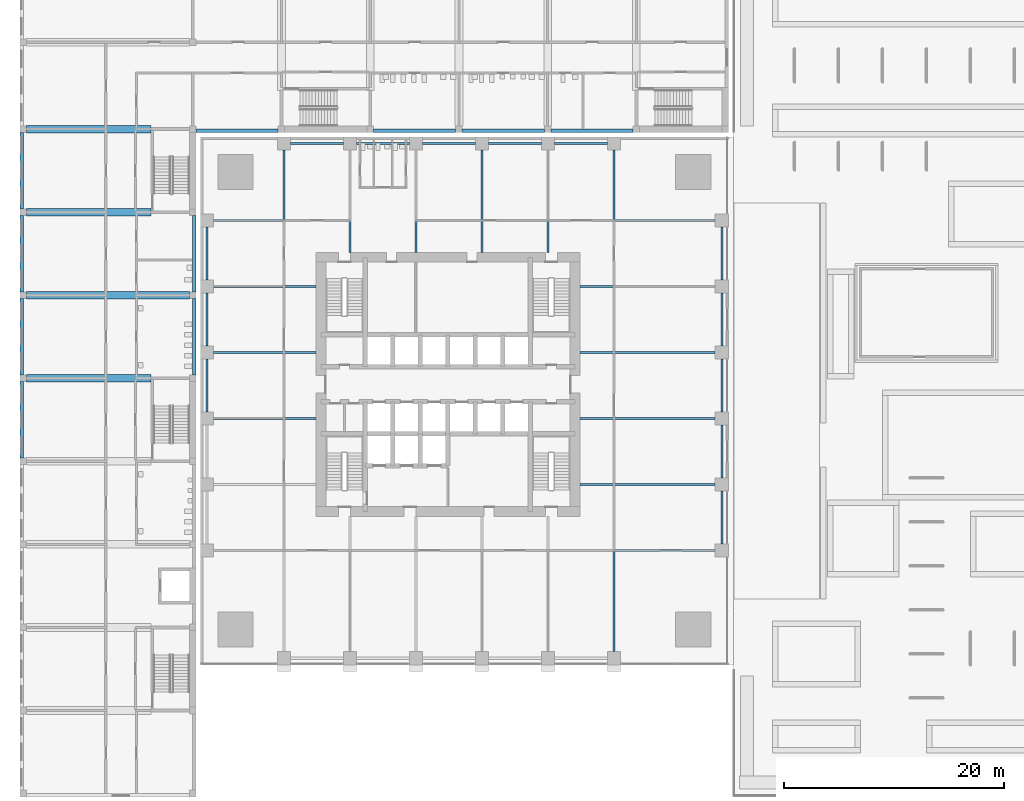
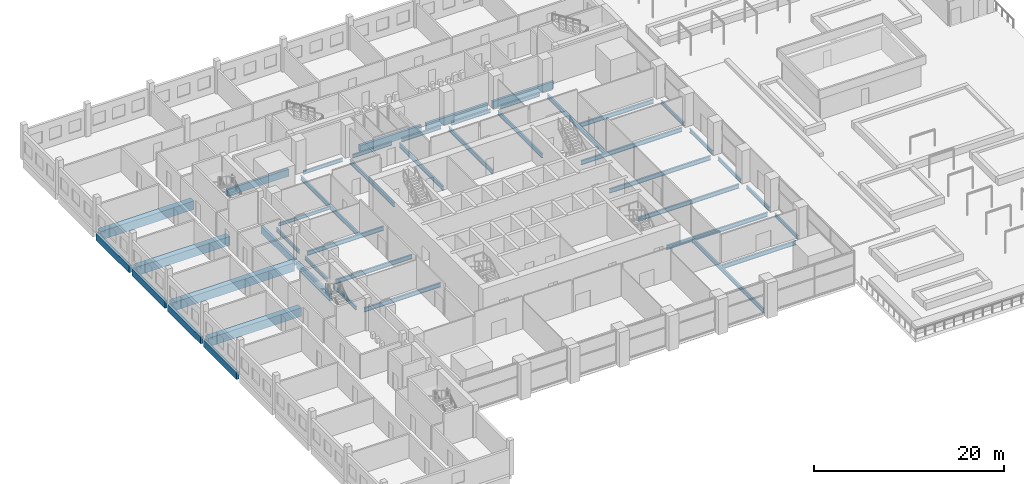
# One storey, part 5 of 34: 44 beams.
"""IFC4 building model written with IfcOpenShell, lengths in metres."""

import ifcopenshell
import ifcopenshell.guid

model = None  # the IFC model being written
_history = None  # IfcOwnerHistory: only IFC2X3 demands one
_inside = {}  # id of a spatial element -> (the spatial element, [elements in it])
_under = {}  # id of a project, library or spatial element -> (it, [spatial elements below it])
_declared = {}  # id of a project -> (the project, [libraries it declares])
_typed = {}  # id of a type object -> (the type object, [elements of that type])
_made_of = {}  # id of a material, layer set ... -> (it, [elements and type objects made of it])


def new_model(schema):
    """Start an empty IFC model of exactly this schema.

    Asked for "IFC4X3", IfcOpenShell would pick the latest addendum, in which some entities
    have other attributes; the version numbers below select the first issue.
    IFC2X3 requires an IfcOwnerHistory on every rooted entity: one is made here for all.
    """
    global model, _history
    if schema == "IFC4X3":
        model = ifcopenshell.file(schema_version=(4, 3, 0, 0))
    else:
        model = ifcopenshell.file(schema=schema)
    _inside.clear()
    _under.clear()
    _declared.clear()
    _typed.clear()
    _made_of.clear()
    _history = None
    if model.schema == "IFC2X3":
        org = make("IfcOrganization", Name="unknown")
        user = make(
            "IfcPersonAndOrganization",
            ThePerson=make("IfcPerson", FamilyName="unknown"),
            TheOrganization=org,
        )
        app = make(
            "IfcApplication",
            ApplicationDeveloper=org,
            Version="unknown",
            ApplicationFullName="unknown",
            ApplicationIdentifier="unknown",
        )
        _history = make(
            "IfcOwnerHistory",
            OwningUser=user,
            OwningApplication=app,
            ChangeAction="ADDED",
            CreationDate=0,
        )
    return model


def make(cls, **values):
    """One entity of the class cls with the attributes given. An attribute that is None is left unset."""
    return model.create_entity(
        cls, **{name: value for name, value in values.items() if value is not None}
    )


def rooted(cls, **values):
    """An entity with a GlobalId (a new one), such as an element, a storey or a relation."""
    return make(cls, GlobalId=ifcopenshell.guid.new(), OwnerHistory=_history, **values)


def si_unit(unit_type, name, prefix=None):
    """IfcSIUnit, for example si_unit("LENGTHUNIT", "METRE", prefix="MILLI")."""
    return make("IfcSIUnit", UnitType=unit_type, Prefix=prefix, Name=name)


def assignment(units):
    """IfcUnitAssignment: the units of a project."""
    return None if units is None else make("IfcUnitAssignment", Units=units)


def point(xyz):
    """IfcCartesianPoint."""
    return None if xyz is None else make("IfcCartesianPoint", Coordinates=xyz)


def direction(xyz):
    """IfcDirection."""
    return None if xyz is None else make("IfcDirection", DirectionRatios=xyz)


def frame(location, z_axis=None, x_axis=None):
    """IfcAxis2Placement3D, a coordinate frame: its origin and axes. An axis left out is left unset."""
    return make(
        "IfcAxis2Placement3D",
        Location=point(location),
        Axis=direction(z_axis),
        RefDirection=direction(x_axis),
    )


def frame_2d(location, x_axis=None):
    """IfcAxis2Placement2D, a coordinate frame in the plane: its origin and x axis."""
    return make(
        "IfcAxis2Placement2D", Location=point(location), RefDirection=direction(x_axis)
    )


def origin():
    """The frame at (0, 0, 0) with its axes left unset."""
    return frame((0.0, 0.0, 0.0))


def origin_2d():
    """The frame at (0, 0) in the plane with its x axis left unset."""
    return frame_2d((0.0, 0.0))


def place(relative_to, where):
    """IfcLocalPlacement: puts the frame where relative to a parent placement (None: the world)."""
    return make(
        "IfcLocalPlacement", PlacementRelTo=relative_to, RelativePlacement=where
    )


def context(
    kind, dimensions, precision=None, world=None, true_north=None, identifier=None
):
    """IfcGeometricRepresentationContext, for example the 3D "Model" context."""
    return make(
        "IfcGeometricRepresentationContext",
        ContextIdentifier=identifier,
        ContextType=kind,
        CoordinateSpaceDimension=dimensions,
        Precision=precision,
        WorldCoordinateSystem=world,
        TrueNorth=true_north,
    )


def subcontext(parent, identifier, kind, view, scale=None):
    """IfcGeometricRepresentationSubContext, for example "Body" below "Model"."""
    return make(
        "IfcGeometricRepresentationSubContext",
        ContextIdentifier=identifier,
        ContextType=kind,
        ParentContext=parent,
        TargetScale=scale,
        TargetView=view,
    )


def project(units=None, contexts=None):
    """IfcProject with its units and contexts."""
    return rooted(
        "IfcProject",
        Name="project",
        RepresentationContexts=contexts,
        UnitsInContext=assignment(units),
    )


def spatial(cls, under=None, at=None, **own):
    """A site, building, storey or space (cls), placed at a placement, below another one or the project."""
    s = rooted(cls, ObjectPlacement=at, **own)
    if under is not None:
        _under.setdefault(under.id(), (under, []))[1].append(s)
    return s


def profile(cls, at=None, kind="AREA", **sizes):
    """A parametric profile (cls). Its sizes go by their IFC names, for example OverallWidth=200.0."""
    return make(cls, ProfileType=kind, Position=at, **sizes)


def rectangle(**sizes):
    """IfcRectangleProfileDef."""
    return profile("IfcRectangleProfileDef", **sizes)


def i_section(**sizes):
    """IfcIShapeProfileDef."""
    return profile("IfcIShapeProfileDef", **sizes)


def extrude(swept, where, along, depth):
    """IfcExtrudedAreaSolid: the profile swept, set in the frame where, extruded along a direction by depth."""
    return make(
        "IfcExtrudedAreaSolid",
        SweptArea=swept,
        Position=where,
        ExtrudedDirection=direction(along),
        Depth=depth,
    )


def shape(context_of_items, identifier, shape_type, items):
    """IfcShapeRepresentation: the items that make up one representation, for example the "Body"."""
    return make(
        "IfcShapeRepresentation",
        ContextOfItems=context_of_items,
        RepresentationIdentifier=identifier,
        RepresentationType=shape_type,
        Items=items,
    )


def material(Name=None, Category=None):
    """IfcMaterial."""
    return make("IfcMaterial", Name=Name, Category=Category)


def material_profile(
    of_material, cross_section, Name=None, Category=None, Priority=None
):
    """IfcMaterialProfile: a cross section and its material."""
    return make(
        "IfcMaterialProfile",
        Name=Name,
        Material=of_material,
        Profile=cross_section,
        Priority=Priority,
        Category=Category,
    )


def profile_set(profiles, Name=None, composite=None):
    """IfcMaterialProfileSet."""
    return make(
        "IfcMaterialProfileSet",
        Name=Name,
        MaterialProfiles=profiles,
        CompositeProfile=composite,
    )


def made_of(thing, what):
    """Note that an element or type object is made of a material, layer set ...; save() writes the relation."""
    if what is not None:
        _made_of.setdefault(what.id(), (what, []))[1].append(thing)
    return thing


def type_object(cls, material=None, **own):
    """A type object (cls), such as IfcWallType, which elements share."""
    return made_of(rooted(cls, **own), material)


def element(
    cls,
    number,
    at=None,
    inside=None,
    cuts=None,
    type_object=None,
    material=None,
    context=None,
    identifier="Body",
    shape_type=None,
    held_by="IfcProductDefinitionShape",
    body=None,
    shapes=None,
    **own,
):
    """One element of the class cls, such as IfcWall. Its Tag is "e" and its number.

    at: its placement. inside: the storey or other place that contains it. cuts: it is an
    opening in that element (IfcRelVoidsElement). A single representation is given by context,
    identifier, shape_type and body (its items); several are given by shapes. held_by: the class
    of the entity that holds the representations. save() writes the other relations.
    """
    e = rooted(cls, Tag="e%d" % number, ObjectPlacement=at, **own)
    if body is not None:
        shapes = [shape(context, identifier, shape_type, body)]
    if shapes is not None:
        e.Representation = make(held_by, Representations=shapes)
    if inside is not None:
        _inside.setdefault(inside.id(), (inside, []))[1].append(e)
    if cuts is not None:
        rooted(
            "IfcRelVoidsElement", RelatingBuildingElement=cuts, RelatedOpeningElement=e
        )
    if type_object is not None:
        _typed.setdefault(type_object.id(), (type_object, []))[1].append(e)
    return made_of(e, material)


def aggregate(whole, parts):
    """IfcRelAggregates: a whole, such as a stair, and the parts it consists of."""
    return rooted("IfcRelAggregates", RelatingObject=whole, RelatedObjects=parts)


def save(model, path):
    """Write the relations noted so far, then the file.

    IfcRelAggregates (storeys below a building ...), IfcRelContainedInSpatialStructure (elements
    in a storey), IfcRelDefinesByType, IfcRelAssociatesMaterial and IfcRelDeclares: one each for
    every whole, place, type object, material and project.
    """
    for whole, parts in _under.values():
        aggregate(whole, parts)
    for where, things in _inside.values():
        rooted(
            "IfcRelContainedInSpatialStructure",
            RelatedElements=things,
            RelatingStructure=where,
        )
    for kind, things in _typed.values():
        rooted("IfcRelDefinesByType", RelatedObjects=things, RelatingType=kind)
    for what, things in _made_of.values():
        rooted("IfcRelAssociatesMaterial", RelatedObjects=things, RelatingMaterial=what)
    for by, libraries in _declared.values():
        rooted("IfcRelDeclares", RelatingContext=by, RelatedDefinitions=libraries)
    model.write(path)


model = new_model("IFC4")

# Units and contexts
model_context = context("Model", 3, precision=1e-05, world=origin(), true_north=direction((0.0, 1.0)))
body_context = subcontext(model_context, "Body", "Model", "MODEL_VIEW")
ifc_project = project(units=[si_unit("LENGTHUNIT", "METRE"), si_unit("AREAUNIT", "SQUARE_METRE"), si_unit("VOLUMEUNIT", "CUBIC_METRE"), si_unit("PLANEANGLEUNIT", "RADIAN"), si_unit("MASSUNIT", "GRAM", prefix="KILO")], contexts=[model_context])

# Site, building, storey
site_placement = place(None, origin())
site = spatial("IfcSite", under=ifc_project, at=site_placement, CompositionType="ELEMENT")
building_placement = place(site_placement, origin())
building = spatial("IfcBuilding", under=site, at=building_placement, Name="Amberfall Residences", CompositionType="ELEMENT")
storey_placement = place(building_placement, frame((0.0, 0.0, 5.5)))
storey = spatial("IfcBuildingStorey", under=building, at=storey_placement, Name="L01", CompositionType="ELEMENT", Elevation=5.5)

# Beams
ifc_material_1 = material(Name="Steel S355", Category="steel")
ifc_material_profile_1 = material_profile(ifc_material_1, i_section(OverallWidth=0.18994140625, OverallDepth=0.453369140625, WebThickness=0.008544921875, FlangeThickness=0.0126953125, FilletRadius=0.01025390625, at=origin_2d()), Name="UB 457x191x67")
ifc_profile_set_1 = profile_set([ifc_material_profile_1], Name="Steel S355")
beam_type_1 = type_object("IfcBeamType", Name="Edge beam UB 457x191x67", PredefinedType="SPANDREL", material=ifc_profile_set_1)
for number, where, z_axis, x_axis, name in (
    (1, (99.39990234375, 31.0, -0.526611328125), (0.0, 1.0, 0.0), (-1.0, 0.0, 0.0), "Edge beam B1 L01 12"),
    (2, (99.39990234375, 37.0, -0.526611328125), (0.0, 1.0, 0.0), (-1.0, 0.0, 0.0), "Edge beam B1 L01 13"),
    (3, (99.39990234375, 43.0, -0.526611328125), (0.0, 1.0, 0.0), (-1.0, 0.0, 0.0), "Edge beam B1 L01 14"),
    (4, (99.39990234375, 49.0, -0.526611328125), (0.0, 1.0, 0.0), (-1.0, 0.0, 0.0), "Edge beam B1 L01 15"),
    (5, (99.39990234375, 55.0, -0.526611328125), (0.0, 1.0, 0.0), (-1.0, 0.0, 0.0), "Edge beam B1 L01 16"),
    (6, (60.199951171875, 67.39990234375, -0.526611328125), (1.0, 0.0, 0.0), (0.0, 1.0, 0.0), "Edge beam B1 L01 23"),
    (7, (66.199951171875, 67.39990234375, -0.526611328125), (1.0, 0.0, 0.0), (0.0, 1.0, 0.0), "Edge beam B1 L01 24"),
    (8, (72.199951171875, 67.39990234375, -0.526611328125), (1.0, 0.0, 0.0), (0.0, 1.0, 0.0), "Edge beam B1 L01 25"),
    (9, (78.199951171875, 67.39990234375, -0.526611328125), (1.0, 0.0, 0.0), (0.0, 1.0, 0.0), "Edge beam B1 L01 26"),
    (10, (84.199951171875, 67.39990234375, -0.526611328125), (1.0, 0.0, 0.0), (0.0, 1.0, 0.0), "Edge beam B1 L01 27"),
    (11, (52.60009765625, 43.0, -0.526611328125), (0.0, 1.0, 0.0), (-1.0, 0.0, 0.0), "Edge beam B1 L01 36"),
    (12, (52.60009765625, 49.0, -0.526611328125), (0.0, 1.0, 0.0), (-1.0, 0.0, 0.0), "Edge beam B1 L01 37"),
    (13, (52.60009765625, 55.0, -0.526611328125), (0.0, 1.0, 0.0), (-1.0, 0.0, 0.0), "Edge beam B1 L01 38"),
):
    element("IfcBeam", number, at=place(storey_placement, frame(where, z_axis=z_axis, x_axis=x_axis)), inside=storey, type_object=beam_type_1, Name=name, PredefinedType="SPANDREL", context=body_context, shape_type="SweptSolid", body=[
        extrude(i_section(OverallWidth=0.18994140625, OverallDepth=0.453369140625, WebThickness=0.008544921875, FlangeThickness=0.0126953125, FilletRadius=0.01025390625, at=origin_2d()), origin(), (0.0, 0.0, 1.0), 4.800048828125),
    ])
ifc_material_profile_2 = material_profile(ifc_material_1, i_section(OverallWidth=0.177734375, OverallDepth=0.402587890625, WebThickness=0.0078125, FlangeThickness=0.010986328125, FilletRadius=0.01025390625, at=origin_2d()), Name="UB 406x178x54")
ifc_profile_set_2 = profile_set([ifc_material_profile_2], Name="Steel S355")
beam_type_2 = type_object("IfcBeamType", Name="Floor girder UB 406x178x54", PredefinedType="BEAM", material=ifc_profile_set_2)
beam_1_placement = place(storey_placement, frame((53.199951171875, 60.39990234375, -0.501220703125), z_axis=(1.0, 0.0, 0.0), x_axis=(0.0, 1.0, 0.0)))
element("IfcBeam", 14, at=beam_1_placement, inside=storey, type_object=beam_type_2, Name="Floor girder B4 L01 44", PredefinedType="BEAM", context=body_context, shape_type="SweptSolid", body=[
    extrude(i_section(OverallWidth=0.177734375, OverallDepth=0.402587890625, WebThickness=0.0078125, FlangeThickness=0.010986328125, FilletRadius=0.01025390625, at=origin_2d()), origin(), (0.0, 0.0, 1.0), 6.280029296875),
])
ifc_material_profile_3 = material_profile(ifc_material_1, i_section(OverallWidth=0.210693359375, OverallDepth=0.53955078125, WebThickness=0.01171875, FlangeThickness=0.018798828125, FilletRadius=0.0126953125, at=origin_2d()), Name="UB 533x210x109")
ifc_profile_set_3 = profile_set([ifc_material_profile_3], Name="Steel S355")
beam_type_3 = type_object("IfcBeamType", Name="Floor girder UB 533x210x109", PredefinedType="BEAM", material=ifc_profile_set_3)
beam_2_placement = place(storey_placement, frame((89.60009765625, 21.199951171875, -0.56982421875), z_axis=(0.0, 1.0, 0.0), x_axis=(-1.0, 0.0, 0.0)))
element("IfcBeam", 15, at=beam_2_placement, inside=storey, type_object=beam_type_3, Name="Floor girder B2 L01 11", PredefinedType="BEAM", context=body_context, shape_type="SweptSolid", body=[
    extrude(i_section(OverallWidth=0.210693359375, OverallDepth=0.53955078125, WebThickness=0.01171875, FlangeThickness=0.018798828125, FilletRadius=0.0126953125, at=origin_2d()), origin(), (0.0, 0.0, 1.0), 15.099609375),
])
for number, where, z_axis, x_axis, name in (
    (16, (98.800048828125, 36.39990234375, -0.56982421875), (-1.0, 0.0, 0.0), (0.0, -1.0, 0.0), "Floor girder B2 L01 18"),
    (17, (98.800048828125, 42.39990234375, -0.56982421875), (-1.0, 0.0, 0.0), (0.0, -1.0, 0.0), "Floor girder B2 L01 19"),
    (18, (98.800048828125, 48.39990234375, -0.56982421875), (-1.0, 0.0, 0.0), (0.0, -1.0, 0.0), "Floor girder B2 L01 20"),
    (19, (98.800048828125, 54.39990234375, -0.56982421875), (-1.0, 0.0, 0.0), (0.0, -1.0, 0.0), "Floor girder B2 L01 21"),
):
    element("IfcBeam", number, at=place(storey_placement, frame(where, z_axis=z_axis, x_axis=x_axis)), inside=storey, type_object=beam_type_3, Name=name, PredefinedType="BEAM", context=body_context, shape_type="SweptSolid", body=[
        extrude(i_section(OverallWidth=0.210693359375, OverallDepth=0.53955078125, WebThickness=0.01171875, FlangeThickness=0.018798828125, FilletRadius=0.0126953125, at=origin_2d()), origin(), (0.0, 0.0, 1.0), 12.300048828125),
    ])
beam_3_placement = place(storey_placement, frame((59.60009765625, 66.800048828125, -0.56982421875), z_axis=(0.0, -1.0, 0.0), x_axis=(1.0, 0.0, 0.0)))
element("IfcBeam", 20, at=beam_3_placement, inside=storey, type_object=beam_type_3, Name="Floor girder B2 L01 28", PredefinedType="BEAM", context=body_context, shape_type="SweptSolid", body=[
    extrude(i_section(OverallWidth=0.210693359375, OverallDepth=0.53955078125, WebThickness=0.01171875, FlangeThickness=0.018798828125, FilletRadius=0.0126953125, at=origin_2d()), origin(), (0.0, 0.0, 1.0), 12.300537109375),
])
beam_4_placement = place(storey_placement, frame((89.60009765625, 66.800048828125, -0.56982421875), z_axis=(0.0, -1.0, 0.0), x_axis=(1.0, 0.0, 0.0)))
element("IfcBeam", 21, at=beam_4_placement, inside=storey, type_object=beam_type_3, Name="Floor girder B2 L01 33", PredefinedType="BEAM", context=body_context, shape_type="SweptSolid", body=[
    extrude(i_section(OverallWidth=0.210693359375, OverallDepth=0.53955078125, WebThickness=0.01171875, FlangeThickness=0.018798828125, FilletRadius=0.0126953125, at=origin_2d()), origin(), (0.0, 0.0, 1.0), 12.299560546875),
])
ifc_material_profile_4 = material_profile(ifc_material_1, i_section(OverallWidth=0.209228515625, OverallDepth=0.533203125, WebThickness=0.010009765625, FlangeThickness=0.015625, FilletRadius=0.0126953125, at=origin_2d()), Name="UB 533x210x92")
ifc_profile_set_4 = profile_set([ifc_material_profile_4], Name="Steel S355")
beam_type_4 = type_object("IfcBeamType", Name="Floor girder UB 533x210x92", PredefinedType="BEAM", material=ifc_profile_set_4)
for number, where, z_axis, x_axis, name in (
    (22, (98.800048828125, 30.39990234375, -0.566650390625), (-1.0, 0.0, 0.0), (0.0, -1.0, 0.0), "Floor girder B3 L01 17"),
    (23, (98.800048828125, 60.39990234375, -0.566650390625), (-1.0, 0.0, 0.0), (0.0, -1.0, 0.0), "Floor girder B3 L01 22"),
):
    element("IfcBeam", number, at=place(storey_placement, frame(where, z_axis=z_axis, x_axis=x_axis)), inside=storey, type_object=beam_type_4, Name=name, PredefinedType="BEAM", context=body_context, shape_type="SweptSolid", body=[
        extrude(i_section(OverallWidth=0.209228515625, OverallDepth=0.533203125, WebThickness=0.010009765625, FlangeThickness=0.015625, FilletRadius=0.0126953125, at=origin_2d()), origin(), (0.0, 0.0, 1.0), 9.080078125),
    ])
for number, where, z_axis, x_axis, name in (
    (24, (65.60009765625, 66.800048828125, -0.566650390625), (0.0, -1.0, 0.0), (1.0, 0.0, 0.0), "Floor girder B3 L01 29"),
    (25, (71.60009765625, 66.800048828125, -0.566650390625), (0.0, -1.0, 0.0), (1.0, 0.0, 0.0), "Floor girder B3 L01 30"),
    (26, (77.60009765625, 66.800048828125, -0.566650390625), (0.0, -1.0, 0.0), (1.0, 0.0, 0.0), "Floor girder B3 L01 31"),
    (27, (83.60009765625, 66.800048828125, -0.566650390625), (0.0, -1.0, 0.0), (1.0, 0.0, 0.0), "Floor girder B3 L01 32"),
    (28, (53.199951171875, 42.39990234375, -0.566650390625), (1.0, 0.0, 0.0), (0.0, 1.0, 0.0), "Floor girder B3 L01 41"),
    (29, (53.199951171875, 48.39990234375, -0.566650390625), (1.0, 0.0, 0.0), (0.0, 1.0, 0.0), "Floor girder B3 L01 42"),
    (30, (53.199951171875, 54.39990234375, -0.566650390625), (1.0, 0.0, 0.0), (0.0, 1.0, 0.0), "Floor girder B3 L01 43"),
):
    element("IfcBeam", number, at=place(storey_placement, frame(where, z_axis=z_axis, x_axis=x_axis)), inside=storey, type_object=beam_type_4, Name=name, PredefinedType="BEAM", context=body_context, shape_type="SweptSolid", body=[
        extrude(i_section(OverallWidth=0.209228515625, OverallDepth=0.533203125, WebThickness=0.010009765625, FlangeThickness=0.015625, FilletRadius=0.0126953125, at=origin_2d()), origin(), (0.0, 0.0, 1.0), 9.300048828125),
    ])
ifc_material_2 = material(Name="Concrete C40", Category="concrete")
ifc_material_profile_5 = material_profile(ifc_material_2, rectangle(XDim=0.699951171875, YDim=1.10009765625, at=origin_2d()), Name="School beam 700 x 1100 C40")
ifc_profile_set_5 = profile_set([ifc_material_profile_5], Name="Concrete C40")
beam_type_5 = type_object("IfcBeamType", Name="School beam 700 x 1100 C40", PredefinedType="BEAM", material=ifc_profile_set_5)
beam_5_placement = place(storey_placement, frame((36.199951171875, 46.050048828125, -0.85009765625), z_axis=(1.0, 0.0, 0.0), x_axis=(0.0, 1.0, 0.0)))
element("IfcBeam", 31, at=beam_5_placement, inside=storey, type_object=beam_type_5, Name="TW5", PredefinedType="BEAM", context=body_context, shape_type="SweptSolid", body=[
    extrude(rectangle(XDim=0.699951171875, YDim=1.10009765625, at=origin_2d()), origin(), (0.0, 0.0, 1.0), 11.300048828125),
])
beam_6_placement = place(storey_placement, frame((36.199951171875, 53.60009765625, -0.85009765625), z_axis=(1.0, 0.0, 0.0), x_axis=(0.0, 1.0, 0.0)))
element("IfcBeam", 32, at=beam_6_placement, inside=storey, type_object=beam_type_5, Name="TW6", PredefinedType="BEAM", context=body_context, shape_type="SweptSolid", body=[
    extrude(rectangle(XDim=0.699951171875, YDim=1.10009765625, at=origin_2d()), origin(), (0.0, 0.0, 1.0), 14.800048828125),
])
for number, where, z_axis, x_axis, name in (
    (33, (36.199951171875, 61.14990234375, -0.85009765625), (1.0, 0.0, 0.0), (0.0, 1.0, 0.0), "TW7"),
    (34, (36.199951171875, 68.699951171875, -0.85009765625), (1.0, 0.0, 0.0), (0.0, 1.0, 0.0), "TW8"),
):
    element("IfcBeam", number, at=place(storey_placement, frame(where, z_axis=z_axis, x_axis=x_axis)), inside=storey, type_object=beam_type_5, Name=name, PredefinedType="BEAM", context=body_context, shape_type="SweptSolid", body=[
        extrude(rectangle(XDim=0.699951171875, YDim=1.10009765625, at=origin_2d()), origin(), (0.0, 0.0, 1.0), 11.300048828125),
    ])
ifc_material_profile_6 = material_profile(ifc_material_2, rectangle(XDim=0.300048828125, YDim=0.89990234375, at=origin_2d()), Name="School edge beam 300 x 900 C40")
ifc_profile_set_6 = profile_set([ifc_material_profile_6], Name="Concrete C40")
beam_type_6 = type_object("IfcBeamType", Name="School edge beam 300 x 900 C40", PredefinedType="BEAM", material=ifc_profile_set_6)
for number, where, z_axis, x_axis, name in (
    (35, (35.75, 38.800048828125, -0.75), (0.0, 1.0, 0.0), (-1.0, 0.0, 0.0), "GW4"),
    (36, (35.75, 46.35009765625, -0.75), (0.0, 1.0, 0.0), (-1.0, 0.0, 0.0), "GW5"),
):
    element("IfcBeam", number, at=place(storey_placement, frame(where, z_axis=z_axis, x_axis=x_axis)), inside=storey, type_object=beam_type_6, Name=name, PredefinedType="BEAM", context=body_context, shape_type="SweptSolid", body=[
        extrude(rectangle(XDim=0.300048828125, YDim=0.89990234375, at=origin_2d()), origin(), (0.0, 0.0, 1.0), 6.949951171875),
    ])
beam_7_placement = place(storey_placement, frame((35.75, 53.89990234375, -0.75), z_axis=(0.0, 1.0, 0.0), x_axis=(-1.0, 0.0, 0.0)))
element("IfcBeam", 37, at=beam_7_placement, inside=storey, type_object=beam_type_6, Name="GW6", PredefinedType="BEAM", context=body_context, shape_type="SweptSolid", body=[
    extrude(rectangle(XDim=0.300048828125, YDim=0.89990234375, at=origin_2d()), origin(), (0.0, 0.0, 1.0), 6.9501953125),
])
for number, where, z_axis, x_axis, name in (
    (38, (35.75, 61.449951171875, -0.75), (0.0, 1.0, 0.0), (-1.0, 0.0, 0.0), "GW7"),
    (39, (51.449951171875, 46.35009765625, -0.75), (0.0, 1.0, 0.0), (-1.0, 0.0, 0.0), "GE5"),
):
    element("IfcBeam", number, at=place(storey_placement, frame(where, z_axis=z_axis, x_axis=x_axis)), inside=storey, type_object=beam_type_6, Name=name, PredefinedType="BEAM", context=body_context, shape_type="SweptSolid", body=[
        extrude(rectangle(XDim=0.300048828125, YDim=0.89990234375, at=origin_2d()), origin(), (0.0, 0.0, 1.0), 6.949951171875),
    ])
beam_8_placement = place(storey_placement, frame((51.449951171875, 53.89990234375, -0.75), z_axis=(0.0, 1.0, 0.0), x_axis=(-1.0, 0.0, 0.0)))
element("IfcBeam", 40, at=beam_8_placement, inside=storey, type_object=beam_type_6, Name="GE6", PredefinedType="BEAM", context=body_context, shape_type="SweptSolid", body=[
    extrude(rectangle(XDim=0.300048828125, YDim=0.89990234375, at=origin_2d()), origin(), (0.0, 0.0, 1.0), 6.9501953125),
])
beam_9_placement = place(storey_placement, frame((51.60009765625, 68.550048828125, -0.75), z_axis=(1.0, 0.0, 0.0), x_axis=(0.0, 1.0, 0.0)))
element("IfcBeam", 41, at=beam_9_placement, inside=storey, type_object=beam_type_6, Name="GS0", PredefinedType="BEAM", context=body_context, shape_type="SweptSolid", body=[
    extrude(rectangle(XDim=0.300048828125, YDim=0.89990234375, at=origin_2d()), origin(), (0.0, 0.0, 1.0), 7.466796875),
])
for number, where, z_axis, x_axis, name in (
    (42, (67.73291015625, 68.550048828125, -0.75), (1.0, 0.0, 0.0), (0.0, 1.0, 0.0), "GS2"),
    (43, (75.800048828125, 68.550048828125, -0.75), (1.0, 0.0, 0.0), (0.0, 1.0, 0.0), "GS3"),
):
    element("IfcBeam", number, at=place(storey_placement, frame(where, z_axis=z_axis, x_axis=x_axis)), inside=storey, type_object=beam_type_6, Name=name, PredefinedType="BEAM", context=body_context, shape_type="SweptSolid", body=[
        extrude(rectangle(XDim=0.300048828125, YDim=0.89990234375, at=origin_2d()), origin(), (0.0, 0.0, 1.0), 7.467041015625),
    ])
beam_10_placement = place(storey_placement, frame((83.866943359375, 68.550048828125, -0.75), z_axis=(1.0, 0.0, 0.0), x_axis=(0.0, 1.0, 0.0)))
element("IfcBeam", 44, at=beam_10_placement, inside=storey, type_object=beam_type_6, Name="GS4", PredefinedType="BEAM", context=body_context, shape_type="SweptSolid", body=[
    extrude(rectangle(XDim=0.300048828125, YDim=0.89990234375, at=origin_2d()), origin(), (0.0, 0.0, 1.0), 7.466064453125),
])

save(model, "model.ifc")
